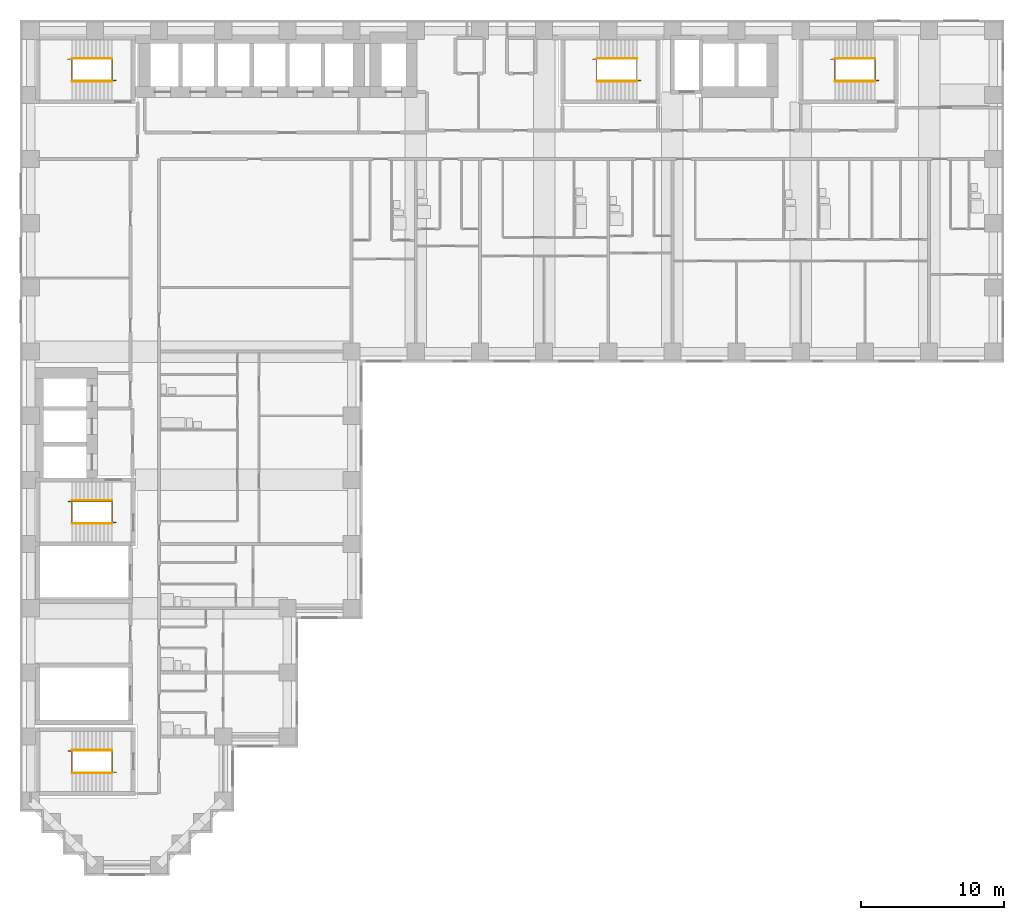
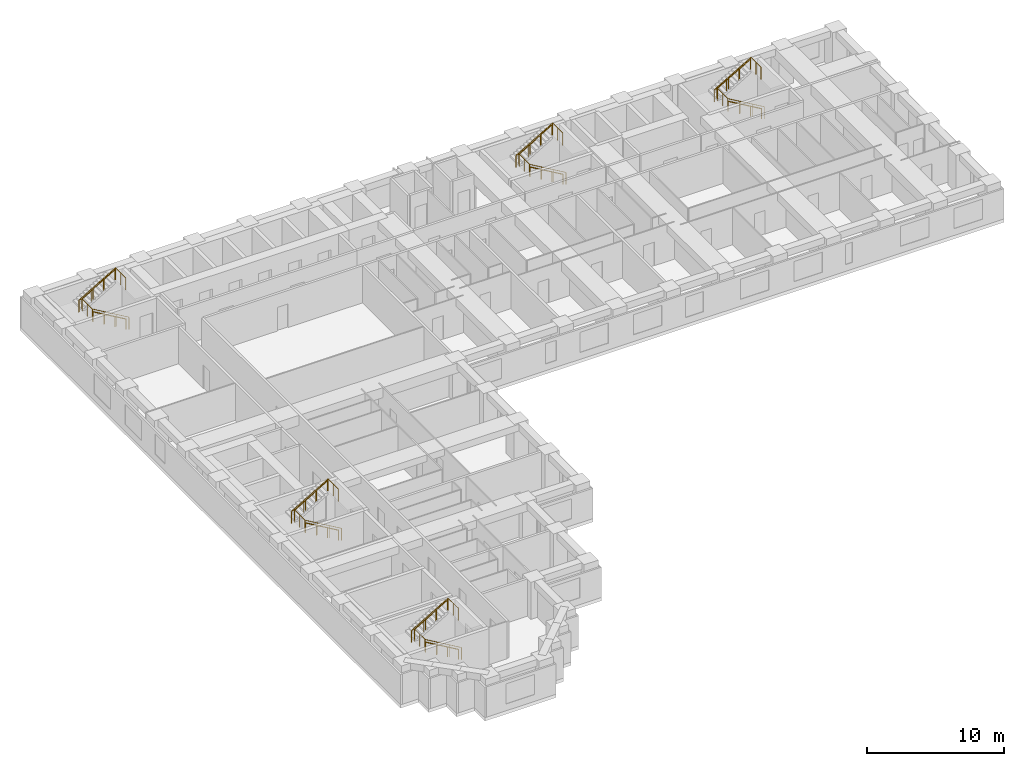
# One storey, part 11 of 12: 15 railings.
"""IFC4 building model written with IfcOpenShell, lengths in metres."""

import ifcopenshell
import ifcopenshell.guid

model = None  # the IFC model being written
_history = None  # IfcOwnerHistory: only IFC2X3 demands one
_inside = {}  # id of a spatial element -> (the spatial element, [elements in it])
_under = {}  # id of a project, library or spatial element -> (it, [spatial elements below it])
_declared = {}  # id of a project -> (the project, [libraries it declares])
_typed = {}  # id of a type object -> (the type object, [elements of that type])
_made_of = {}  # id of a material, layer set ... -> (it, [elements and type objects made of it])


def new_model(schema):
    """Start an empty IFC model of exactly this schema.

    Asked for "IFC4X3", IfcOpenShell would pick the latest addendum, in which some entities
    have other attributes; the version numbers below select the first issue.
    IFC2X3 requires an IfcOwnerHistory on every rooted entity: one is made here for all.
    """
    global model, _history
    if schema == "IFC4X3":
        model = ifcopenshell.file(schema_version=(4, 3, 0, 0))
    else:
        model = ifcopenshell.file(schema=schema)
    _inside.clear()
    _under.clear()
    _declared.clear()
    _typed.clear()
    _made_of.clear()
    _history = None
    if model.schema == "IFC2X3":
        org = make("IfcOrganization", Name="unknown")
        user = make(
            "IfcPersonAndOrganization",
            ThePerson=make("IfcPerson", FamilyName="unknown"),
            TheOrganization=org,
        )
        app = make(
            "IfcApplication",
            ApplicationDeveloper=org,
            Version="unknown",
            ApplicationFullName="unknown",
            ApplicationIdentifier="unknown",
        )
        _history = make(
            "IfcOwnerHistory",
            OwningUser=user,
            OwningApplication=app,
            ChangeAction="ADDED",
            CreationDate=0,
        )
    return model


def make(cls, **values):
    """One entity of the class cls with the attributes given. An attribute that is None is left unset."""
    return model.create_entity(
        cls, **{name: value for name, value in values.items() if value is not None}
    )


def rooted(cls, **values):
    """An entity with a GlobalId (a new one), such as an element, a storey or a relation."""
    return make(cls, GlobalId=ifcopenshell.guid.new(), OwnerHistory=_history, **values)


def si_unit(unit_type, name, prefix=None):
    """IfcSIUnit, for example si_unit("LENGTHUNIT", "METRE", prefix="MILLI")."""
    return make("IfcSIUnit", UnitType=unit_type, Prefix=prefix, Name=name)


def assignment(units):
    """IfcUnitAssignment: the units of a project."""
    return None if units is None else make("IfcUnitAssignment", Units=units)


def point(xyz):
    """IfcCartesianPoint."""
    return None if xyz is None else make("IfcCartesianPoint", Coordinates=xyz)


def direction(xyz):
    """IfcDirection."""
    return None if xyz is None else make("IfcDirection", DirectionRatios=xyz)


def frame(location, z_axis=None, x_axis=None):
    """IfcAxis2Placement3D, a coordinate frame: its origin and axes. An axis left out is left unset."""
    return make(
        "IfcAxis2Placement3D",
        Location=point(location),
        Axis=direction(z_axis),
        RefDirection=direction(x_axis),
    )


def frame_2d(location, x_axis=None):
    """IfcAxis2Placement2D, a coordinate frame in the plane: its origin and x axis."""
    return make(
        "IfcAxis2Placement2D", Location=point(location), RefDirection=direction(x_axis)
    )


def origin():
    """The frame at (0, 0, 0) with its axes left unset."""
    return frame((0.0, 0.0, 0.0))


def origin_2d():
    """The frame at (0, 0) in the plane with its x axis left unset."""
    return frame_2d((0.0, 0.0))


def place(relative_to, where):
    """IfcLocalPlacement: puts the frame where relative to a parent placement (None: the world)."""
    return make(
        "IfcLocalPlacement", PlacementRelTo=relative_to, RelativePlacement=where
    )


def context(
    kind, dimensions, precision=None, world=None, true_north=None, identifier=None
):
    """IfcGeometricRepresentationContext, for example the 3D "Model" context."""
    return make(
        "IfcGeometricRepresentationContext",
        ContextIdentifier=identifier,
        ContextType=kind,
        CoordinateSpaceDimension=dimensions,
        Precision=precision,
        WorldCoordinateSystem=world,
        TrueNorth=true_north,
    )


def subcontext(parent, identifier, kind, view, scale=None):
    """IfcGeometricRepresentationSubContext, for example "Body" below "Model"."""
    return make(
        "IfcGeometricRepresentationSubContext",
        ContextIdentifier=identifier,
        ContextType=kind,
        ParentContext=parent,
        TargetScale=scale,
        TargetView=view,
    )


def project(units=None, contexts=None):
    """IfcProject with its units and contexts."""
    return rooted(
        "IfcProject",
        Name="project",
        RepresentationContexts=contexts,
        UnitsInContext=assignment(units),
    )


def spatial(cls, under=None, at=None, **own):
    """A site, building, storey or space (cls), placed at a placement, below another one or the project."""
    s = rooted(cls, ObjectPlacement=at, **own)
    if under is not None:
        _under.setdefault(under.id(), (under, []))[1].append(s)
    return s


def profile(cls, at=None, kind="AREA", **sizes):
    """A parametric profile (cls). Its sizes go by their IFC names, for example OverallWidth=200.0."""
    return make(cls, ProfileType=kind, Position=at, **sizes)


def circle(**sizes):
    """IfcCircleProfileDef."""
    return profile("IfcCircleProfileDef", **sizes)


def extrude(swept, where, along, depth):
    """IfcExtrudedAreaSolid: the profile swept, set in the frame where, extruded along a direction by depth."""
    return make(
        "IfcExtrudedAreaSolid",
        SweptArea=swept,
        Position=where,
        ExtrudedDirection=direction(along),
        Depth=depth,
    )


def shape(context_of_items, identifier, shape_type, items):
    """IfcShapeRepresentation: the items that make up one representation, for example the "Body"."""
    return make(
        "IfcShapeRepresentation",
        ContextOfItems=context_of_items,
        RepresentationIdentifier=identifier,
        RepresentationType=shape_type,
        Items=items,
    )


def material(Name=None, Category=None):
    """IfcMaterial."""
    return make("IfcMaterial", Name=Name, Category=Category)


def made_of(thing, what):
    """Note that an element or type object is made of a material, layer set ...; save() writes the relation."""
    if what is not None:
        _made_of.setdefault(what.id(), (what, []))[1].append(thing)
    return thing


def type_object(cls, material=None, **own):
    """A type object (cls), such as IfcWallType, which elements share."""
    return made_of(rooted(cls, **own), material)


def element(
    cls,
    number,
    at=None,
    inside=None,
    cuts=None,
    type_object=None,
    material=None,
    context=None,
    identifier="Body",
    shape_type=None,
    held_by="IfcProductDefinitionShape",
    body=None,
    shapes=None,
    **own,
):
    """One element of the class cls, such as IfcWall. Its Tag is "e" and its number.

    at: its placement. inside: the storey or other place that contains it. cuts: it is an
    opening in that element (IfcRelVoidsElement). A single representation is given by context,
    identifier, shape_type and body (its items); several are given by shapes. held_by: the class
    of the entity that holds the representations. save() writes the other relations.
    """
    e = rooted(cls, Tag="e%d" % number, ObjectPlacement=at, **own)
    if body is not None:
        shapes = [shape(context, identifier, shape_type, body)]
    if shapes is not None:
        e.Representation = make(held_by, Representations=shapes)
    if inside is not None:
        _inside.setdefault(inside.id(), (inside, []))[1].append(e)
    if cuts is not None:
        rooted(
            "IfcRelVoidsElement", RelatingBuildingElement=cuts, RelatedOpeningElement=e
        )
    if type_object is not None:
        _typed.setdefault(type_object.id(), (type_object, []))[1].append(e)
    return made_of(e, material)


def aggregate(whole, parts):
    """IfcRelAggregates: a whole, such as a stair, and the parts it consists of."""
    return rooted("IfcRelAggregates", RelatingObject=whole, RelatedObjects=parts)


def save(model, path):
    """Write the relations noted so far, then the file.

    IfcRelAggregates (storeys below a building ...), IfcRelContainedInSpatialStructure (elements
    in a storey), IfcRelDefinesByType, IfcRelAssociatesMaterial and IfcRelDeclares: one each for
    every whole, place, type object, material and project.
    """
    for whole, parts in _under.values():
        aggregate(whole, parts)
    for where, things in _inside.values():
        rooted(
            "IfcRelContainedInSpatialStructure",
            RelatedElements=things,
            RelatingStructure=where,
        )
    for kind, things in _typed.values():
        rooted("IfcRelDefinesByType", RelatedObjects=things, RelatingType=kind)
    for what, things in _made_of.values():
        rooted("IfcRelAssociatesMaterial", RelatedObjects=things, RelatingMaterial=what)
    for by, libraries in _declared.values():
        rooted("IfcRelDeclares", RelatingContext=by, RelatedDefinitions=libraries)
    model.write(path)


model = new_model("IFC4")

# Units and contexts
model_context = context("Model", 3, precision=1e-05, world=origin(), true_north=direction((0.0, 1.0)))
body_context = subcontext(model_context, "Body", "Model", "MODEL_VIEW")
ifc_project = project(units=[si_unit("LENGTHUNIT", "METRE"), si_unit("AREAUNIT", "SQUARE_METRE"), si_unit("VOLUMEUNIT", "CUBIC_METRE"), si_unit("PLANEANGLEUNIT", "RADIAN"), si_unit("MASSUNIT", "GRAM", prefix="KILO")], contexts=[model_context])

# Site, building, storey
site_placement = place(None, origin())
site = spatial("IfcSite", under=ifc_project, at=site_placement, CompositionType="ELEMENT")
building_placement = place(site_placement, origin())
building = spatial("IfcBuilding", under=site, at=building_placement, Name="Firuza Court", CompositionType="ELEMENT")
storey_placement = place(building_placement, frame((0.0, 0.0, 39.800048828125)))
storey = spatial("IfcBuildingStorey", under=building, at=storey_placement, Name="L08", CompositionType="ELEMENT", Elevation=39.800048828125)

# Railings
ifc_material_1 = material(Name="Steel S355", Category="steel")
railing_type_1 = type_object("IfcRailingType", Name="Handrail 900", PredefinedType="HANDRAIL", material=ifc_material_1)
railing_1_placement = place(storey_placement, frame((42.5, 54.949951171875, 0.16357421875)))
element("IfcRailing", 1, at=railing_1_placement, inside=storey, type_object=railing_type_1, Name="Handrail S1 flight 1", PredefinedType="HANDRAIL", context=body_context, shape_type="SweptSolid", body=[
    extrude(circle(Radius=0.02490234375, at=origin_2d()), frame((0.0, 0.0, 0.875), z_axis=(-0.863360870873, 0.0, 0.504586966384), x_axis=(0.0, -1.0, 0.0)), (0.0, 0.0, 1.0), 3.2431640625),
    extrude(circle(Radius=0.02001953125, at=origin_2d()), origin(), (0.0, 0.0, 1.0), 0.849853515625),
    extrude(circle(Radius=0.02001953125, at=origin_2d()), frame((-0.933349609375, 0.0, 0.54541015625)), (0.0, 0.0, 1.0), 0.849853515625),
    extrude(circle(Radius=0.02001953125, at=origin_2d()), frame((-1.86669921875, 0.0, 1.091064453125)), (0.0, 0.0, 1.0), 0.849853515625),
    extrude(circle(Radius=0.02001953125, at=origin_2d()), frame((-2.800048828125, 0.0, 1.636474609375)), (0.0, 0.0, 1.0), 0.849853515625),
])
railing_2_placement = place(storey_placement, frame((39.699951171875, 56.550048828125, 1.963623046875)))
element("IfcRailing", 2, at=railing_2_placement, inside=storey, type_object=railing_type_1, Name="Handrail S1 flight 2", PredefinedType="HANDRAIL", context=body_context, shape_type="SweptSolid", body=[
    extrude(circle(Radius=0.02490234375, at=origin_2d()), frame((0.0, 0.0, 0.875), z_axis=(0.863393664356, 0.0, 0.504530851732), x_axis=(0.0, 1.0, 0.0)), (0.0, 0.0, 1.0), 3.2431640625),
    extrude(circle(Radius=0.02001953125, at=origin_2d()), origin(), (0.0, 0.0, 1.0), 0.849853515625),
    extrude(circle(Radius=0.02001953125, at=origin_2d()), frame((0.933349609375, 0.0, 0.54541015625)), (0.0, 0.0, 1.0), 0.849853515625),
    extrude(circle(Radius=0.02001953125, at=origin_2d()), frame((1.86669921875, 0.0, 1.0908203125)), (0.0, 0.0, 1.0), 0.849853515625),
    extrude(circle(Radius=0.02001953125, at=origin_2d()), frame((2.800048828125, 0.0, 1.63623046875)), (0.0, 0.0, 1.0), 0.849853515625),
])
railing_3_placement = place(storey_placement, frame((5.699951171875, 23.949951171875, 0.16357421875)))
element("IfcRailing", 3, at=railing_3_placement, inside=storey, type_object=railing_type_1, Name="Handrail S2 flight 1", PredefinedType="HANDRAIL", context=body_context, shape_type="SweptSolid", body=[
    extrude(circle(Radius=0.02490234375, at=origin_2d()), frame((0.0, 0.0, 0.875), z_axis=(-0.863360870873, 0.0, 0.504586966384), x_axis=(0.0, -1.0, 0.0)), (0.0, 0.0, 1.0), 3.2431640625),
    extrude(circle(Radius=0.02001953125, at=origin_2d()), origin(), (0.0, 0.0, 1.0), 0.849853515625),
    extrude(circle(Radius=0.02001953125, at=origin_2d()), frame((-0.933349609375, 0.0, 0.54541015625)), (0.0, 0.0, 1.0), 0.849853515625),
    extrude(circle(Radius=0.02001953125, at=origin_2d()), frame((-1.86669921875, 0.0, 1.091064453125)), (0.0, 0.0, 1.0), 0.849853515625),
    extrude(circle(Radius=0.02001953125, at=origin_2d()), frame((-2.800048828125, 0.0, 1.636474609375)), (0.0, 0.0, 1.0), 0.849853515625),
])
railing_4_placement = place(storey_placement, frame((2.89990234375, 25.550048828125, 1.963623046875)))
element("IfcRailing", 4, at=railing_4_placement, inside=storey, type_object=railing_type_1, Name="Handrail S2 flight 2", PredefinedType="HANDRAIL", context=body_context, shape_type="SweptSolid", body=[
    extrude(circle(Radius=0.02490234375, at=origin_2d()), frame((0.0, 0.0, 0.875), z_axis=(0.863393664356, 0.0, 0.504530851732), x_axis=(0.0, 1.0, 0.0)), (0.0, 0.0, 1.0), 3.2431640625),
    extrude(circle(Radius=0.02001953125, at=origin_2d()), origin(), (0.0, 0.0, 1.0), 0.849853515625),
    extrude(circle(Radius=0.02001953125, at=origin_2d()), frame((0.933349609375, 0.0, 0.54541015625)), (0.0, 0.0, 1.0), 0.849853515625),
    extrude(circle(Radius=0.02001953125, at=origin_2d()), frame((1.86669921875, 0.0, 1.0908203125)), (0.0, 0.0, 1.0), 0.849853515625),
    extrude(circle(Radius=0.02001953125, at=origin_2d()), frame((2.800048828125, 0.0, 1.63623046875)), (0.0, 0.0, 1.0), 0.849853515625),
])
railing_5_placement = place(storey_placement, frame((5.699951171875, 54.949951171875, 0.16357421875)))
element("IfcRailing", 5, at=railing_5_placement, inside=storey, type_object=railing_type_1, Name="Handrail S3 flight 1", PredefinedType="HANDRAIL", context=body_context, shape_type="SweptSolid", body=[
    extrude(circle(Radius=0.02490234375, at=origin_2d()), frame((0.0, 0.0, 0.875), z_axis=(-0.863360870873, 0.0, 0.504586966384), x_axis=(0.0, -1.0, 0.0)), (0.0, 0.0, 1.0), 3.2431640625),
    extrude(circle(Radius=0.02001953125, at=origin_2d()), origin(), (0.0, 0.0, 1.0), 0.849853515625),
    extrude(circle(Radius=0.02001953125, at=origin_2d()), frame((-0.933349609375, 0.0, 0.54541015625)), (0.0, 0.0, 1.0), 0.849853515625),
    extrude(circle(Radius=0.02001953125, at=origin_2d()), frame((-1.86669921875, 0.0, 1.091064453125)), (0.0, 0.0, 1.0), 0.849853515625),
    extrude(circle(Radius=0.02001953125, at=origin_2d()), frame((-2.800048828125, 0.0, 1.636474609375)), (0.0, 0.0, 1.0), 0.849853515625),
])
railing_6_placement = place(storey_placement, frame((2.89990234375, 56.550048828125, 1.963623046875)))
element("IfcRailing", 6, at=railing_6_placement, inside=storey, type_object=railing_type_1, Name="Handrail S3 flight 2", PredefinedType="HANDRAIL", context=body_context, shape_type="SweptSolid", body=[
    extrude(circle(Radius=0.02490234375, at=origin_2d()), frame((0.0, 0.0, 0.875), z_axis=(0.863393664356, 0.0, 0.504530851732), x_axis=(0.0, 1.0, 0.0)), (0.0, 0.0, 1.0), 3.2431640625),
    extrude(circle(Radius=0.02001953125, at=origin_2d()), origin(), (0.0, 0.0, 1.0), 0.849853515625),
    extrude(circle(Radius=0.02001953125, at=origin_2d()), frame((0.933349609375, 0.0, 0.54541015625)), (0.0, 0.0, 1.0), 0.849853515625),
    extrude(circle(Radius=0.02001953125, at=origin_2d()), frame((1.86669921875, 0.0, 1.0908203125)), (0.0, 0.0, 1.0), 0.849853515625),
    extrude(circle(Radius=0.02001953125, at=origin_2d()), frame((2.800048828125, 0.0, 1.63623046875)), (0.0, 0.0, 1.0), 0.849853515625),
])
railing_7_placement = place(storey_placement, frame((59.199951171875, 54.949951171875, 0.16357421875)))
element("IfcRailing", 7, at=railing_7_placement, inside=storey, type_object=railing_type_1, Name="Handrail S4 flight 1", PredefinedType="HANDRAIL", context=body_context, shape_type="SweptSolid", body=[
    extrude(circle(Radius=0.02490234375, at=origin_2d()), frame((0.0, 0.0, 0.875), z_axis=(-0.863360870873, 0.0, 0.504586966384), x_axis=(0.0, -1.0, 0.0)), (0.0, 0.0, 1.0), 3.2431640625),
    extrude(circle(Radius=0.02001953125, at=origin_2d()), origin(), (0.0, 0.0, 1.0), 0.849853515625),
    extrude(circle(Radius=0.02001953125, at=origin_2d()), frame((-0.933349609375, 0.0, 0.54541015625)), (0.0, 0.0, 1.0), 0.849853515625),
    extrude(circle(Radius=0.02001953125, at=origin_2d()), frame((-1.86669921875, 0.0, 1.091064453125)), (0.0, 0.0, 1.0), 0.849853515625),
    extrude(circle(Radius=0.02001953125, at=origin_2d()), frame((-2.800048828125, 0.0, 1.636474609375)), (0.0, 0.0, 1.0), 0.849853515625),
])
railing_8_placement = place(storey_placement, frame((56.39990234375, 56.550048828125, 1.963623046875)))
element("IfcRailing", 8, at=railing_8_placement, inside=storey, type_object=railing_type_1, Name="Handrail S4 flight 2", PredefinedType="HANDRAIL", context=body_context, shape_type="SweptSolid", body=[
    extrude(circle(Radius=0.02490234375, at=origin_2d()), frame((0.0, 0.0, 0.875), z_axis=(0.863393664356, 0.0, 0.504530851732), x_axis=(0.0, 1.0, 0.0)), (0.0, 0.0, 1.0), 3.2431640625),
    extrude(circle(Radius=0.02001953125, at=origin_2d()), origin(), (0.0, 0.0, 1.0), 0.849853515625),
    extrude(circle(Radius=0.02001953125, at=origin_2d()), frame((0.933349609375, 0.0, 0.54541015625)), (0.0, 0.0, 1.0), 0.849853515625),
    extrude(circle(Radius=0.02001953125, at=origin_2d()), frame((1.86669921875, 0.0, 1.0908203125)), (0.0, 0.0, 1.0), 0.849853515625),
    extrude(circle(Radius=0.02001953125, at=origin_2d()), frame((2.800048828125, 0.0, 1.63623046875)), (0.0, 0.0, 1.0), 0.849853515625),
])
railing_9_placement = place(storey_placement, frame((5.699951171875, 6.449951171875, 0.16357421875)))
element("IfcRailing", 9, at=railing_9_placement, inside=storey, type_object=railing_type_1, Name="Handrail S5 flight 1", PredefinedType="HANDRAIL", context=body_context, shape_type="SweptSolid", body=[
    extrude(circle(Radius=0.02490234375, at=origin_2d()), frame((0.0, 0.0, 0.875), z_axis=(-0.863360870873, 0.0, 0.504586966384), x_axis=(0.0, -1.0, 0.0)), (0.0, 0.0, 1.0), 3.2431640625),
    extrude(circle(Radius=0.02001953125, at=origin_2d()), origin(), (0.0, 0.0, 1.0), 0.849853515625),
    extrude(circle(Radius=0.02001953125, at=origin_2d()), frame((-0.933349609375, 0.0, 0.54541015625)), (0.0, 0.0, 1.0), 0.849853515625),
    extrude(circle(Radius=0.02001953125, at=origin_2d()), frame((-1.86669921875, 0.0, 1.091064453125)), (0.0, 0.0, 1.0), 0.849853515625),
    extrude(circle(Radius=0.02001953125, at=origin_2d()), frame((-2.800048828125, 0.0, 1.636474609375)), (0.0, 0.0, 1.0), 0.849853515625),
])
railing_10_placement = place(storey_placement, frame((2.89990234375, 8.050048828125, 1.963623046875)))
element("IfcRailing", 10, at=railing_10_placement, inside=storey, type_object=railing_type_1, Name="Handrail S5 flight 2", PredefinedType="HANDRAIL", context=body_context, shape_type="SweptSolid", body=[
    extrude(circle(Radius=0.02490234375, at=origin_2d()), frame((0.0, 0.0, 0.875), z_axis=(0.863393664356, 0.0, 0.504530851732), x_axis=(0.0, 1.0, 0.0)), (0.0, 0.0, 1.0), 3.2431640625),
    extrude(circle(Radius=0.02001953125, at=origin_2d()), origin(), (0.0, 0.0, 1.0), 0.849853515625),
    extrude(circle(Radius=0.02001953125, at=origin_2d()), frame((0.933349609375, 0.0, 0.54541015625)), (0.0, 0.0, 1.0), 0.849853515625),
    extrude(circle(Radius=0.02001953125, at=origin_2d()), frame((1.86669921875, 0.0, 1.0908203125)), (0.0, 0.0, 1.0), 0.849853515625),
    extrude(circle(Radius=0.02001953125, at=origin_2d()), frame((2.800048828125, 0.0, 1.63623046875)), (0.0, 0.0, 1.0), 0.849853515625),
])
ifc_material_2 = material(Name="Steel S355", Category="steel")
railing_type_2 = type_object("IfcRailingType", Name="Stair guard 1100", PredefinedType="GUARDRAIL", material=ifc_material_2)
railing_11_placement = place(storey_placement, frame((42.780029296875, 55.010009765625, 0.0)))
element("IfcRailing", 11, at=railing_11_placement, inside=storey, type_object=railing_type_2, Name="Stair well guard S1", PredefinedType="GUARDRAIL", context=body_context, shape_type="SweptSolid", body=[
    extrude(circle(Radius=0.02490234375, at=origin_2d()), frame((0.0, 0.0, 1.0751953125), z_axis=(-0.863371556955, 0.0, 0.504568681787), x_axis=(0.0, -1.0, 0.0)), (0.0, 0.0, 1.0), 3.5673828125),
    extrude(circle(Radius=0.02490234375, at=origin_2d()), frame((-3.080078125, 0.0, 2.875), z_axis=(0.0, 1.0, 0.0), x_axis=(-1.0, 0.0, 0.0)), (0.0, 0.0, 1.0), 1.47998046875),
    extrude(circle(Radius=0.02490234375, at=origin_2d()), frame((-3.080078125, 1.47998046875, 2.875), z_axis=(-1.0, 0.0, 0.0), x_axis=(0.0, -1.0, 0.0)), (0.0, 0.0, 1.0), 0.280029296875),
    extrude(circle(Radius=0.02490234375, at=origin_2d()), frame((-3.360107421875, 1.47998046875, 2.875), z_axis=(0.863401368682, 0.0, 0.504517667242), x_axis=(0.0, 1.0, 0.0)), (0.0, 0.0, 1.0), 3.5673828125),
    extrude(circle(Radius=0.02490234375, at=origin_2d()), frame((-0.280029296875, 1.47998046875, 4.6748046875), z_axis=(0.0, -1.0, 0.0), x_axis=(1.0, 0.0, 0.0)), (0.0, 0.0, 1.0), 1.47998046875),
    extrude(circle(Radius=0.02490234375, at=origin_2d()), origin(), (0.0, 0.0, 1.0), 1.050048828125),
    extrude(circle(Radius=0.02490234375, at=origin_2d()), frame((-1.026611328125, 0.0, 0.60009765625)), (0.0, 0.0, 1.0), 1.050048828125),
    extrude(circle(Radius=0.02490234375, at=origin_2d()), frame((-2.053466796875, 0.0, 1.199951171875)), (0.0, 0.0, 1.0), 1.050048828125),
    extrude(circle(Radius=0.02490234375, at=origin_2d()), frame((-3.080078125, 0.0, 1.800048828125)), (0.0, 0.0, 1.0), 1.050048828125),
    extrude(circle(Radius=0.02490234375, at=origin_2d()), frame((-3.080078125, 0.739990234375, 1.800048828125)), (0.0, 0.0, 1.0), 1.050048828125),
    extrude(circle(Radius=0.02490234375, at=origin_2d()), frame((-3.080078125, 1.47998046875, 1.800048828125)), (0.0, 0.0, 1.0), 1.050048828125),
    extrude(circle(Radius=0.02490234375, at=origin_2d()), frame((-3.360107421875, 1.47998046875, 1.800048828125)), (0.0, 0.0, 1.0), 1.050048828125),
    extrude(circle(Radius=0.02490234375, at=origin_2d()), frame((-2.33349609375, 1.47998046875, 2.39990234375)), (0.0, 0.0, 1.0), 1.050048828125),
    extrude(circle(Radius=0.02490234375, at=origin_2d()), frame((-1.306640625, 1.47998046875, 3.0)), (0.0, 0.0, 1.0), 1.050048828125),
    extrude(circle(Radius=0.02490234375, at=origin_2d()), frame((-0.280029296875, 1.47998046875, 3.599853515625)), (0.0, 0.0, 1.0), 1.050048828125),
    extrude(circle(Radius=0.02490234375, at=origin_2d()), frame((-0.280029296875, 0.739990234375, 3.599853515625)), (0.0, 0.0, 1.0), 1.050048828125),
    extrude(circle(Radius=0.02490234375, at=origin_2d()), frame((-0.280029296875, 0.0, 3.599853515625)), (0.0, 0.0, 1.0), 1.050048828125),
])
railing_12_placement = place(storey_placement, frame((5.97998046875, 24.010009765625, 0.0)))
element("IfcRailing", 12, at=railing_12_placement, inside=storey, type_object=railing_type_2, Name="Stair well guard S2", PredefinedType="GUARDRAIL", context=body_context, shape_type="SweptSolid", body=[
    extrude(circle(Radius=0.02490234375, at=origin_2d()), frame((0.0, 0.0, 1.0751953125), z_axis=(-0.863371556955, 0.0, 0.504568681787), x_axis=(0.0, -1.0, 0.0)), (0.0, 0.0, 1.0), 3.5673828125),
    extrude(circle(Radius=0.02490234375, at=origin_2d()), frame((-3.080078125, 0.0, 2.875), z_axis=(0.0, 1.0, 0.0), x_axis=(-1.0, 0.0, 0.0)), (0.0, 0.0, 1.0), 1.47998046875),
    extrude(circle(Radius=0.02490234375, at=origin_2d()), frame((-3.080078125, 1.47998046875, 2.875), z_axis=(-1.0, 0.0, 0.0), x_axis=(0.0, -1.0, 0.0)), (0.0, 0.0, 1.0), 0.27978515625),
    extrude(circle(Radius=0.02490234375, at=origin_2d()), frame((-3.35986328125, 1.47998046875, 2.875), z_axis=(0.863383947312, 0.0, 0.504547479951), x_axis=(0.0, 1.0, 0.0)), (0.0, 0.0, 1.0), 3.567138671875),
    extrude(circle(Radius=0.02490234375, at=origin_2d()), frame((-0.280029296875, 1.47998046875, 4.6748046875), z_axis=(0.0, -1.0, 0.0), x_axis=(1.0, 0.0, 0.0)), (0.0, 0.0, 1.0), 1.47998046875),
    extrude(circle(Radius=0.02490234375, at=origin_2d()), origin(), (0.0, 0.0, 1.0), 1.050048828125),
    extrude(circle(Radius=0.02490234375, at=origin_2d()), frame((-1.026611328125, 0.0, 0.60009765625)), (0.0, 0.0, 1.0), 1.050048828125),
    extrude(circle(Radius=0.02490234375, at=origin_2d()), frame((-2.053466796875, 0.0, 1.199951171875)), (0.0, 0.0, 1.0), 1.050048828125),
    extrude(circle(Radius=0.02490234375, at=origin_2d()), frame((-3.080078125, 0.0, 1.800048828125)), (0.0, 0.0, 1.0), 1.050048828125),
    extrude(circle(Radius=0.02490234375, at=origin_2d()), frame((-3.080078125, 0.739990234375, 1.800048828125)), (0.0, 0.0, 1.0), 1.050048828125),
    extrude(circle(Radius=0.02490234375, at=origin_2d()), frame((-3.080078125, 1.47998046875, 1.800048828125)), (0.0, 0.0, 1.0), 1.050048828125),
    extrude(circle(Radius=0.02490234375, at=origin_2d()), frame((-3.35986328125, 1.47998046875, 1.800048828125)), (0.0, 0.0, 1.0), 1.050048828125),
    extrude(circle(Radius=0.02490234375, at=origin_2d()), frame((-2.333251953125, 1.47998046875, 2.39990234375)), (0.0, 0.0, 1.0), 1.050048828125),
    extrude(circle(Radius=0.02490234375, at=origin_2d()), frame((-1.306640625, 1.47998046875, 3.0)), (0.0, 0.0, 1.0), 1.050048828125),
    extrude(circle(Radius=0.02490234375, at=origin_2d()), frame((-0.280029296875, 1.47998046875, 3.599853515625)), (0.0, 0.0, 1.0), 1.050048828125),
    extrude(circle(Radius=0.02490234375, at=origin_2d()), frame((-0.280029296875, 0.739990234375, 3.599853515625)), (0.0, 0.0, 1.0), 1.050048828125),
    extrude(circle(Radius=0.02490234375, at=origin_2d()), frame((-0.280029296875, 0.0, 3.599853515625)), (0.0, 0.0, 1.0), 1.050048828125),
])
railing_13_placement = place(storey_placement, frame((5.97998046875, 55.010009765625, 0.0)))
element("IfcRailing", 13, at=railing_13_placement, inside=storey, type_object=railing_type_2, Name="Stair well guard S3", PredefinedType="GUARDRAIL", context=body_context, shape_type="SweptSolid", body=[
    extrude(circle(Radius=0.02490234375, at=origin_2d()), frame((0.0, 0.0, 1.0751953125), z_axis=(-0.863371556955, 0.0, 0.504568681787), x_axis=(0.0, -1.0, 0.0)), (0.0, 0.0, 1.0), 3.5673828125),
    extrude(circle(Radius=0.02490234375, at=origin_2d()), frame((-3.080078125, 0.0, 2.875), z_axis=(0.0, 1.0, 0.0), x_axis=(-1.0, 0.0, 0.0)), (0.0, 0.0, 1.0), 1.47998046875),
    extrude(circle(Radius=0.02490234375, at=origin_2d()), frame((-3.080078125, 1.47998046875, 2.875), z_axis=(-1.0, 0.0, 0.0), x_axis=(0.0, -1.0, 0.0)), (0.0, 0.0, 1.0), 0.27978515625),
    extrude(circle(Radius=0.02490234375, at=origin_2d()), frame((-3.35986328125, 1.47998046875, 2.875), z_axis=(0.863383947312, 0.0, 0.504547479951), x_axis=(0.0, 1.0, 0.0)), (0.0, 0.0, 1.0), 3.567138671875),
    extrude(circle(Radius=0.02490234375, at=origin_2d()), frame((-0.280029296875, 1.47998046875, 4.6748046875), z_axis=(0.0, -1.0, 0.0), x_axis=(1.0, 0.0, 0.0)), (0.0, 0.0, 1.0), 1.47998046875),
    extrude(circle(Radius=0.02490234375, at=origin_2d()), origin(), (0.0, 0.0, 1.0), 1.050048828125),
    extrude(circle(Radius=0.02490234375, at=origin_2d()), frame((-1.026611328125, 0.0, 0.60009765625)), (0.0, 0.0, 1.0), 1.050048828125),
    extrude(circle(Radius=0.02490234375, at=origin_2d()), frame((-2.053466796875, 0.0, 1.199951171875)), (0.0, 0.0, 1.0), 1.050048828125),
    extrude(circle(Radius=0.02490234375, at=origin_2d()), frame((-3.080078125, 0.0, 1.800048828125)), (0.0, 0.0, 1.0), 1.050048828125),
    extrude(circle(Radius=0.02490234375, at=origin_2d()), frame((-3.080078125, 0.739990234375, 1.800048828125)), (0.0, 0.0, 1.0), 1.050048828125),
    extrude(circle(Radius=0.02490234375, at=origin_2d()), frame((-3.080078125, 1.47998046875, 1.800048828125)), (0.0, 0.0, 1.0), 1.050048828125),
    extrude(circle(Radius=0.02490234375, at=origin_2d()), frame((-3.35986328125, 1.47998046875, 1.800048828125)), (0.0, 0.0, 1.0), 1.050048828125),
    extrude(circle(Radius=0.02490234375, at=origin_2d()), frame((-2.333251953125, 1.47998046875, 2.39990234375)), (0.0, 0.0, 1.0), 1.050048828125),
    extrude(circle(Radius=0.02490234375, at=origin_2d()), frame((-1.306640625, 1.47998046875, 3.0)), (0.0, 0.0, 1.0), 1.050048828125),
    extrude(circle(Radius=0.02490234375, at=origin_2d()), frame((-0.280029296875, 1.47998046875, 3.599853515625)), (0.0, 0.0, 1.0), 1.050048828125),
    extrude(circle(Radius=0.02490234375, at=origin_2d()), frame((-0.280029296875, 0.739990234375, 3.599853515625)), (0.0, 0.0, 1.0), 1.050048828125),
    extrude(circle(Radius=0.02490234375, at=origin_2d()), frame((-0.280029296875, 0.0, 3.599853515625)), (0.0, 0.0, 1.0), 1.050048828125),
])
railing_14_placement = place(storey_placement, frame((59.47998046875, 55.010009765625, 0.0)))
element("IfcRailing", 14, at=railing_14_placement, inside=storey, type_object=railing_type_2, Name="Stair well guard S4", PredefinedType="GUARDRAIL", context=body_context, shape_type="SweptSolid", body=[
    extrude(circle(Radius=0.02490234375, at=origin_2d()), frame((0.0, 0.0, 1.0751953125), z_axis=(-0.863371556955, 0.0, 0.504568681787), x_axis=(0.0, -1.0, 0.0)), (0.0, 0.0, 1.0), 3.5673828125),
    extrude(circle(Radius=0.02490234375, at=origin_2d()), frame((-3.080078125, 0.0, 2.875), z_axis=(0.0, 1.0, 0.0), x_axis=(-1.0, 0.0, 0.0)), (0.0, 0.0, 1.0), 1.47998046875),
    extrude(circle(Radius=0.02490234375, at=origin_2d()), frame((-3.080078125, 1.47998046875, 2.875), z_axis=(-1.0, 0.0, 0.0), x_axis=(0.0, -1.0, 0.0)), (0.0, 0.0, 1.0), 0.27978515625),
    extrude(circle(Radius=0.02490234375, at=origin_2d()), frame((-3.35986328125, 1.47998046875, 2.875), z_axis=(0.863383947312, 0.0, 0.504547479951), x_axis=(0.0, 1.0, 0.0)), (0.0, 0.0, 1.0), 3.567138671875),
    extrude(circle(Radius=0.02490234375, at=origin_2d()), frame((-0.280029296875, 1.47998046875, 4.6748046875), z_axis=(0.0, -1.0, 0.0), x_axis=(1.0, 0.0, 0.0)), (0.0, 0.0, 1.0), 1.47998046875),
    extrude(circle(Radius=0.02490234375, at=origin_2d()), origin(), (0.0, 0.0, 1.0), 1.050048828125),
    extrude(circle(Radius=0.02490234375, at=origin_2d()), frame((-1.026611328125, 0.0, 0.60009765625)), (0.0, 0.0, 1.0), 1.050048828125),
    extrude(circle(Radius=0.02490234375, at=origin_2d()), frame((-2.053466796875, 0.0, 1.199951171875)), (0.0, 0.0, 1.0), 1.050048828125),
    extrude(circle(Radius=0.02490234375, at=origin_2d()), frame((-3.080078125, 0.0, 1.800048828125)), (0.0, 0.0, 1.0), 1.050048828125),
    extrude(circle(Radius=0.02490234375, at=origin_2d()), frame((-3.080078125, 0.739990234375, 1.800048828125)), (0.0, 0.0, 1.0), 1.050048828125),
    extrude(circle(Radius=0.02490234375, at=origin_2d()), frame((-3.080078125, 1.47998046875, 1.800048828125)), (0.0, 0.0, 1.0), 1.050048828125),
    extrude(circle(Radius=0.02490234375, at=origin_2d()), frame((-3.35986328125, 1.47998046875, 1.800048828125)), (0.0, 0.0, 1.0), 1.050048828125),
    extrude(circle(Radius=0.02490234375, at=origin_2d()), frame((-2.333251953125, 1.47998046875, 2.39990234375)), (0.0, 0.0, 1.0), 1.050048828125),
    extrude(circle(Radius=0.02490234375, at=origin_2d()), frame((-1.306640625, 1.47998046875, 3.0)), (0.0, 0.0, 1.0), 1.050048828125),
    extrude(circle(Radius=0.02490234375, at=origin_2d()), frame((-0.280029296875, 1.47998046875, 3.599853515625)), (0.0, 0.0, 1.0), 1.050048828125),
    extrude(circle(Radius=0.02490234375, at=origin_2d()), frame((-0.280029296875, 0.739990234375, 3.599853515625)), (0.0, 0.0, 1.0), 1.050048828125),
    extrude(circle(Radius=0.02490234375, at=origin_2d()), frame((-0.280029296875, 0.0, 3.599853515625)), (0.0, 0.0, 1.0), 1.050048828125),
])
railing_15_placement = place(storey_placement, frame((5.97998046875, 6.510009765625, 0.0)))
element("IfcRailing", 15, at=railing_15_placement, inside=storey, type_object=railing_type_2, Name="Stair well guard S5", PredefinedType="GUARDRAIL", context=body_context, shape_type="SweptSolid", body=[
    extrude(circle(Radius=0.02490234375, at=origin_2d()), frame((0.0, 0.0, 1.0751953125), z_axis=(-0.863371556955, 0.0, 0.504568681787), x_axis=(0.0, -1.0, 0.0)), (0.0, 0.0, 1.0), 3.5673828125),
    extrude(circle(Radius=0.02490234375, at=origin_2d()), frame((-3.080078125, 0.0, 2.875), z_axis=(0.0, 1.0, 0.0), x_axis=(-1.0, 0.0, 0.0)), (0.0, 0.0, 1.0), 1.47998046875),
    extrude(circle(Radius=0.02490234375, at=origin_2d()), frame((-3.080078125, 1.47998046875, 2.875), z_axis=(-1.0, 0.0, 0.0), x_axis=(0.0, -1.0, 0.0)), (0.0, 0.0, 1.0), 0.27978515625),
    extrude(circle(Radius=0.02490234375, at=origin_2d()), frame((-3.35986328125, 1.47998046875, 2.875), z_axis=(0.863383947312, 0.0, 0.504547479951), x_axis=(0.0, 1.0, 0.0)), (0.0, 0.0, 1.0), 3.567138671875),
    extrude(circle(Radius=0.02490234375, at=origin_2d()), frame((-0.280029296875, 1.47998046875, 4.6748046875), z_axis=(0.0, -1.0, 0.0), x_axis=(1.0, 0.0, 0.0)), (0.0, 0.0, 1.0), 1.47998046875),
    extrude(circle(Radius=0.02490234375, at=origin_2d()), origin(), (0.0, 0.0, 1.0), 1.050048828125),
    extrude(circle(Radius=0.02490234375, at=origin_2d()), frame((-1.026611328125, 0.0, 0.60009765625)), (0.0, 0.0, 1.0), 1.050048828125),
    extrude(circle(Radius=0.02490234375, at=origin_2d()), frame((-2.053466796875, 0.0, 1.199951171875)), (0.0, 0.0, 1.0), 1.050048828125),
    extrude(circle(Radius=0.02490234375, at=origin_2d()), frame((-3.080078125, 0.0, 1.800048828125)), (0.0, 0.0, 1.0), 1.050048828125),
    extrude(circle(Radius=0.02490234375, at=origin_2d()), frame((-3.080078125, 0.739990234375, 1.800048828125)), (0.0, 0.0, 1.0), 1.050048828125),
    extrude(circle(Radius=0.02490234375, at=origin_2d()), frame((-3.080078125, 1.47998046875, 1.800048828125)), (0.0, 0.0, 1.0), 1.050048828125),
    extrude(circle(Radius=0.02490234375, at=origin_2d()), frame((-3.35986328125, 1.47998046875, 1.800048828125)), (0.0, 0.0, 1.0), 1.050048828125),
    extrude(circle(Radius=0.02490234375, at=origin_2d()), frame((-2.333251953125, 1.47998046875, 2.39990234375)), (0.0, 0.0, 1.0), 1.050048828125),
    extrude(circle(Radius=0.02490234375, at=origin_2d()), frame((-1.306640625, 1.47998046875, 3.0)), (0.0, 0.0, 1.0), 1.050048828125),
    extrude(circle(Radius=0.02490234375, at=origin_2d()), frame((-0.280029296875, 1.47998046875, 3.599853515625)), (0.0, 0.0, 1.0), 1.050048828125),
    extrude(circle(Radius=0.02490234375, at=origin_2d()), frame((-0.280029296875, 0.739990234375, 3.599853515625)), (0.0, 0.0, 1.0), 1.050048828125),
    extrude(circle(Radius=0.02490234375, at=origin_2d()), frame((-0.280029296875, 0.0, 3.599853515625)), (0.0, 0.0, 1.0), 1.050048828125),
])

save(model, "model.ifc")
